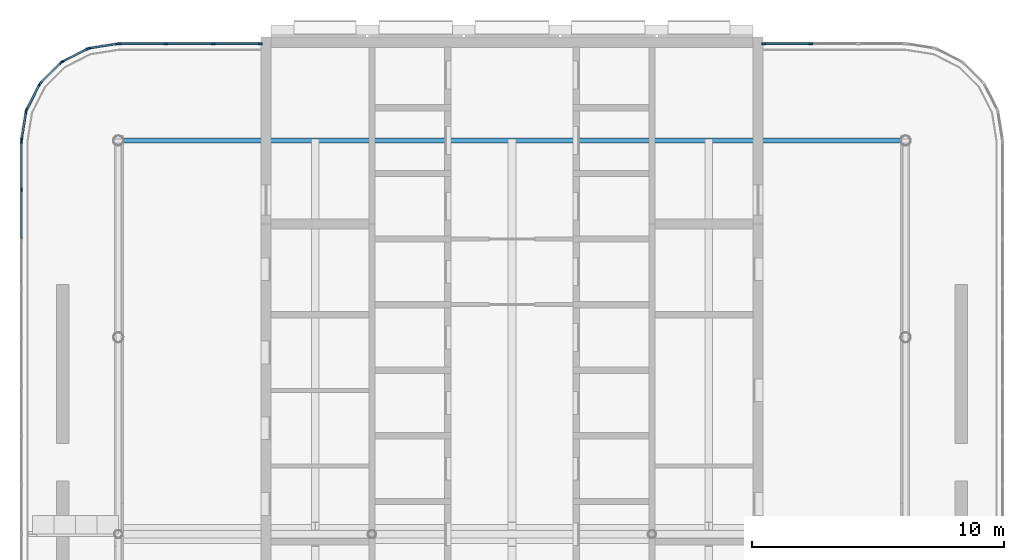
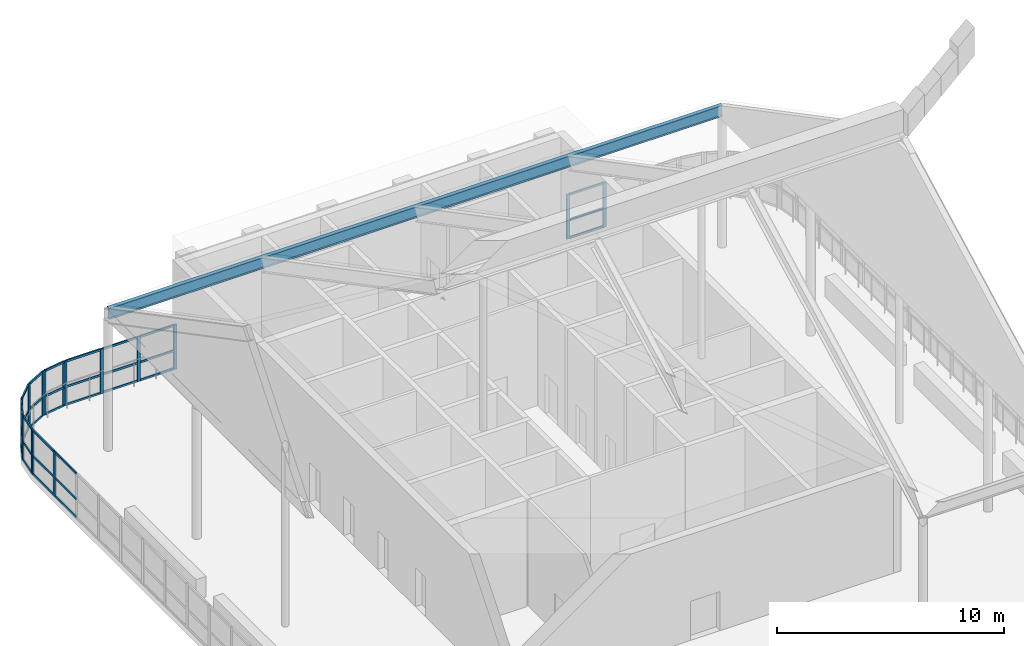
# One storey, part 11 of 19: 51 members, 1 beam, 8 elements without a shape of their own.
"""IFC4 building model written with IfcOpenShell, lengths in metres."""

from ifc_helpers import new_model, si_unit, direction, frame, origin, origin_2d, place, context, subcontext, project, spatial, rectangle, i_section, extrude, material, material_profile, profile_set, type_object, element, aggregate, save


model = new_model("IFC4")

# Units and contexts
model_context = context("Model", 3, precision=1e-05, world=origin(), true_north=direction((0.0, 1.0)))
body_context = subcontext(model_context, "Body", "Model", "MODEL_VIEW")
ifc_project = project(units=[si_unit("LENGTHUNIT", "METRE"), si_unit("AREAUNIT", "SQUARE_METRE"), si_unit("VOLUMEUNIT", "CUBIC_METRE"), si_unit("PLANEANGLEUNIT", "RADIAN"), si_unit("MASSUNIT", "GRAM", prefix="KILO")], contexts=[model_context])

# Site, building, storey
site_placement = place(None, origin())
site = spatial("IfcSite", under=ifc_project, at=site_placement, CompositionType="ELEMENT")
building_placement = place(site_placement, origin())
building = spatial("IfcBuilding", under=site, at=building_placement, Name="Ludao Terraces", CompositionType="ELEMENT")
storey_placement = place(building_placement, frame((0.0, 0.0, 266.39990234375)))
storey = spatial("IfcBuildingStorey", under=building, at=storey_placement, Name="L73", CompositionType="ELEMENT", Elevation=266.39990234375)

# Beam
ifc_material_1 = material(Name="Steel Q355", Category="steel")
ifc_material_profile_1 = material_profile(ifc_material_1, i_section(OverallWidth=0.199951171875, OverallDepth=0.60009765625, WebThickness=0.010986328125, FlangeThickness=0.01708984375, at=origin_2d()), Name="HN 600X200X11X17")
ifc_profile_set_1 = profile_set([ifc_material_profile_1], Name="Steel Q355")
beam_type = type_object("IfcBeamType", Name="Canopy eave beam HN 600x200x11x17 Q355", PredefinedType="BEAM", material=ifc_profile_set_1)
beam_placement = place(storey_placement, frame((69.39990234375, 80.60009765625, 7.29541015625), z_axis=(1.0, 0.0, 0.0), x_axis=(0.0, 1.0, 0.0)))
element("IfcBeam", 1, at=beam_placement, inside=storey, type_object=beam_type, Name="Canopy eave beam north", PredefinedType="BEAM", context=body_context, shape_type="SweptSolid", body=[
    extrude(i_section(OverallWidth=0.199951171875, OverallDepth=0.60009765625, WebThickness=0.010986328125, FlangeThickness=0.01708984375, at=origin_2d()), origin(), (0.0, 0.0, 1.0), 31.2001953125),
])

# Curtain wall, members
ifc_material_2 = material(Name="Aluminium curtain wall with fritted glass", Category="aluminium")
curtain_wall_type = type_object("IfcCurtainWallType", Name="ENV CW6 crown screen glazing", PredefinedType="NOTDEFINED", material=ifc_material_2)
curtain_wall_1_placement = place(storey_placement, origin())
curtain_wall_1 = element("IfcCurtainWall", 2, at=curtain_wall_1_placement, inside=storey, type_object=curtain_wall_type, Name="Deck windscreen N1", PredefinedType="NOTDEFINED")
ifc_material_3 = material(Name="Aluminium 6063-T6", Category="aluminium")
ifc_material_profile_2 = material_profile(ifc_material_3, rectangle(XDim=0.070068359375, YDim=0.159912109375, at=origin_2d()), Name="70 X 160")
ifc_profile_set_2 = profile_set([ifc_material_profile_2], Name="Aluminium 6063-T6")
member_type_1 = type_object("IfcMemberType", Name="ENV CW6 mullion 70x160", PredefinedType="MULLION", material=ifc_profile_set_2)
member_1_placement = place(storey_placement, frame((69.43505859375, 84.43994140625, 0.0), z_axis=(0.0, 0.0, 1.0), x_axis=(0.0, 1.0, 0.0)))
member_1 = element("IfcMember", 3, at=member_1_placement, type_object=member_type_1, Name="CW6 mullion 1", PredefinedType="MULLION", context=body_context, shape_type="SweptSolid", body=[
    extrude(rectangle(XDim=0.070068359375, YDim=0.159912109375, at=origin_2d()), origin(), (0.0, 0.0, 1.0), 2.400146484375),
])
member_2_placement = place(storey_placement, frame((71.283447265625, 84.43994140625, 0.0), z_axis=(0.0, 0.0, 1.0), x_axis=(0.0, 1.0, 0.0)))
member_2 = element("IfcMember", 4, at=member_2_placement, type_object=member_type_1, Name="CW6 mullion 2", PredefinedType="MULLION", context=body_context, shape_type="SweptSolid", body=[
    extrude(rectangle(XDim=0.070068359375, YDim=0.159912109375, at=origin_2d()), origin(), (0.0, 0.0, 1.0), 2.400146484375),
])
member_3_placement = place(storey_placement, frame((73.166748046875, 84.43994140625, 0.0), z_axis=(0.0, 0.0, 1.0), x_axis=(0.0, 1.0, 0.0)))
member_3 = element("IfcMember", 5, at=member_3_placement, type_object=member_type_1, Name="CW6 mullion 3", PredefinedType="MULLION", context=body_context, shape_type="SweptSolid", body=[
    extrude(rectangle(XDim=0.070068359375, YDim=0.159912109375, at=origin_2d()), origin(), (0.0, 0.0, 1.0), 2.400146484375),
])
member_4_placement = place(storey_placement, frame((75.014892578125, 84.43994140625, 0.0), z_axis=(0.0, 0.0, 1.0), x_axis=(0.0, 1.0, 0.0)))
member_4 = element("IfcMember", 6, at=member_4_placement, type_object=member_type_1, Name="CW6 mullion 4", PredefinedType="MULLION", context=body_context, shape_type="SweptSolid", body=[
    extrude(rectangle(XDim=0.070068359375, YDim=0.159912109375, at=origin_2d()), origin(), (0.0, 0.0, 1.0), 2.400146484375),
])

curtain_wall_2_placement = place(storey_placement, origin())
curtain_wall_2 = element("IfcCurtainWall", 7, at=curtain_wall_2_placement, inside=storey, type_object=curtain_wall_type, Name="Deck windscreen N2", PredefinedType="NOTDEFINED")
member_5_placement = place(storey_placement, frame((94.985107421875, 84.43994140625, 0.0), z_axis=(0.0, 0.0, 1.0), x_axis=(0.0, 1.0, 0.0)))
member_5 = element("IfcMember", 8, at=member_5_placement, type_object=member_type_1, Name="CW6 mullion 1", PredefinedType="MULLION", context=body_context, shape_type="SweptSolid", body=[
    extrude(rectangle(XDim=0.070068359375, YDim=0.159912109375, at=origin_2d()), origin(), (0.0, 0.0, 1.0), 2.400146484375),
])
member_6_placement = place(storey_placement, frame((96.833251953125, 84.43994140625, 0.0), z_axis=(0.0, 0.0, 1.0), x_axis=(0.0, 1.0, 0.0)))
member_6 = element("IfcMember", 9, at=member_6_placement, type_object=member_type_1, Name="CW6 mullion 2", PredefinedType="MULLION", context=body_context, shape_type="SweptSolid", body=[
    extrude(rectangle(XDim=0.070068359375, YDim=0.159912109375, at=origin_2d()), origin(), (0.0, 0.0, 1.0), 2.400146484375),
])

curtain_wall_3_placement = place(storey_placement, origin())
curtain_wall_3 = element("IfcCurtainWall", 10, at=curtain_wall_3_placement, inside=storey, type_object=curtain_wall_type, Name="Deck windscreen W1", PredefinedType="NOTDEFINED")
member_7_placement = place(storey_placement, frame((65.56005859375, 78.64990234375, 0.0), z_axis=(0.0, 0.0, 1.0), x_axis=(-1.0, 0.0, 0.0)))
member_7 = element("IfcMember", 11, at=member_7_placement, type_object=member_type_1, Name="CW6 mullion 16", PredefinedType="MULLION", context=body_context, shape_type="SweptSolid", body=[
    extrude(rectangle(XDim=0.070068359375, YDim=0.159912109375, at=origin_2d()), origin(), (0.0, 0.0, 1.0), 2.400146484375),
])
member_8_placement = place(storey_placement, frame((65.56005859375, 80.56494140625, 0.0), z_axis=(0.0, 0.0, 1.0), x_axis=(-1.0, 0.0, 0.0)))
member_8 = element("IfcMember", 12, at=member_8_placement, type_object=member_type_1, Name="CW6 mullion 17", PredefinedType="MULLION", context=body_context, shape_type="SweptSolid", body=[
    extrude(rectangle(XDim=0.070068359375, YDim=0.159912109375, at=origin_2d()), origin(), (0.0, 0.0, 1.0), 2.400146484375),
])

curtain_wall_4_placement = place(storey_placement, origin())
curtain_wall_4 = element("IfcCurtainWall", 13, at=curtain_wall_4_placement, inside=storey, type_object=curtain_wall_type, Name="Deck windscreen NW1", PredefinedType="NOTDEFINED")
member_9_placement = place(storey_placement, frame((69.365478515625, 84.4345703125, 0.0), z_axis=(0.0, 0.0, 1.0), x_axis=(0.1564345166, -0.987688332429, 0.0)))
member_9 = element("IfcMember", 14, at=member_9_placement, type_object=member_type_1, Name="CW6 mullion 1", PredefinedType="MULLION", context=body_context, shape_type="SweptSolid", body=[
    extrude(rectangle(XDim=0.070068359375, YDim=0.159912109375, at=origin_2d()), origin(), (0.0, 0.0, 1.0), 2.400146484375),
])
member_10_placement = place(storey_placement, frame((68.248046875, 84.257568359375, 0.0), z_axis=(0.0, 0.0, 1.0), x_axis=(0.1564345166, -0.987688332429, 0.0)))
member_10 = element("IfcMember", 15, at=member_10_placement, type_object=member_type_1, Name="CW6 mullion 2", PredefinedType="MULLION", context=body_context, shape_type="SweptSolid", body=[
    extrude(rectangle(XDim=0.070068359375, YDim=0.159912109375, at=origin_2d()), origin(), (0.0, 0.0, 1.0), 2.400146484375),
])

curtain_wall_5_placement = place(storey_placement, origin())
curtain_wall_5 = element("IfcCurtainWall", 16, at=curtain_wall_5_placement, inside=storey, type_object=curtain_wall_type, Name="Deck windscreen NW2", PredefinedType="NOTDEFINED")
member_11_placement = place(storey_placement, frame((68.18212890625, 84.236083984375, 0.0), z_axis=(0.0, 0.0, 1.0), x_axis=(0.453990692743, -0.891006425848, 0.0)))
member_11 = element("IfcMember", 17, at=member_11_placement, type_object=member_type_1, Name="CW6 mullion 1", PredefinedType="MULLION", context=body_context, shape_type="SweptSolid", body=[
    extrude(rectangle(XDim=0.070068359375, YDim=0.159912109375, at=origin_2d()), origin(), (0.0, 0.0, 1.0), 2.400146484375),
])
member_12_placement = place(storey_placement, frame((67.174072265625, 83.722412109375, 0.0), z_axis=(0.0, 0.0, 1.0), x_axis=(0.453990692743, -0.891006425848, 0.0)))
member_12 = element("IfcMember", 18, at=member_12_placement, type_object=member_type_1, Name="CW6 mullion 2", PredefinedType="MULLION", context=body_context, shape_type="SweptSolid", body=[
    extrude(rectangle(XDim=0.070068359375, YDim=0.159912109375, at=origin_2d()), origin(), (0.0, 0.0, 1.0), 2.400146484375),
])

curtain_wall_6_placement = place(storey_placement, origin())
curtain_wall_6 = element("IfcCurtainWall", 19, at=curtain_wall_6_placement, inside=storey, type_object=curtain_wall_type, Name="Deck windscreen NW3", PredefinedType="NOTDEFINED")
member_13_placement = place(storey_placement, frame((67.1181640625, 83.681884765625, 0.0), z_axis=(0.0, 0.0, 1.0), x_axis=(0.707106781187, -0.707106781187, 0.0)))
member_13 = element("IfcMember", 20, at=member_13_placement, type_object=member_type_1, Name="CW6 mullion 1", PredefinedType="MULLION", context=body_context, shape_type="SweptSolid", body=[
    extrude(rectangle(XDim=0.070068359375, YDim=0.159912109375, at=origin_2d()), origin(), (0.0, 0.0, 1.0), 2.400146484375),
])
member_14_placement = place(storey_placement, frame((66.318115234375, 82.8818359375, 0.0), z_axis=(0.0, 0.0, 1.0), x_axis=(0.707106781187, -0.707106781187, 0.0)))
member_14 = element("IfcMember", 21, at=member_14_placement, type_object=member_type_1, Name="CW6 mullion 2", PredefinedType="MULLION", context=body_context, shape_type="SweptSolid", body=[
    extrude(rectangle(XDim=0.070068359375, YDim=0.159912109375, at=origin_2d()), origin(), (0.0, 0.0, 1.0), 2.400146484375),
])

curtain_wall_7_placement = place(storey_placement, origin())
curtain_wall_7 = element("IfcCurtainWall", 22, at=curtain_wall_7_placement, inside=storey, type_object=curtain_wall_type, Name="Deck windscreen NW4", PredefinedType="NOTDEFINED")
member_15_placement = place(storey_placement, frame((66.277587890625, 82.825927734375, 0.0), z_axis=(0.0, 0.0, 1.0), x_axis=(0.891006425848, -0.453990692743, 0.0)))
member_15 = element("IfcMember", 23, at=member_15_placement, type_object=member_type_1, Name="CW6 mullion 1", PredefinedType="MULLION", context=body_context, shape_type="SweptSolid", body=[
    extrude(rectangle(XDim=0.070068359375, YDim=0.159912109375, at=origin_2d()), origin(), (0.0, 0.0, 1.0), 2.400146484375),
])
member_16_placement = place(storey_placement, frame((65.763916015625, 81.81787109375, 0.0), z_axis=(0.0, 0.0, 1.0), x_axis=(0.891006425848, -0.453990692743, 0.0)))
member_16 = element("IfcMember", 24, at=member_16_placement, type_object=member_type_1, Name="CW6 mullion 2", PredefinedType="MULLION", context=body_context, shape_type="SweptSolid", body=[
    extrude(rectangle(XDim=0.070068359375, YDim=0.159912109375, at=origin_2d()), origin(), (0.0, 0.0, 1.0), 2.400146484375),
])

curtain_wall_8_placement = place(storey_placement, origin())
curtain_wall_8 = element("IfcCurtainWall", 25, at=curtain_wall_8_placement, inside=storey, type_object=curtain_wall_type, Name="Deck windscreen NW5", PredefinedType="NOTDEFINED")
member_17_placement = place(storey_placement, frame((65.742431640625, 81.751953125, 0.0), z_axis=(0.0, 0.0, 1.0), x_axis=(0.987688332429, -0.1564345166, 0.0)))
member_17 = element("IfcMember", 26, at=member_17_placement, type_object=member_type_1, Name="CW6 mullion 1", PredefinedType="MULLION", context=body_context, shape_type="SweptSolid", body=[
    extrude(rectangle(XDim=0.070068359375, YDim=0.159912109375, at=origin_2d()), origin(), (0.0, 0.0, 1.0), 2.400146484375),
])
member_18_placement = place(storey_placement, frame((65.5654296875, 80.634521484375, 0.0), z_axis=(0.0, 0.0, 1.0), x_axis=(0.987688332429, -0.1564345166, 0.0)))
member_18 = element("IfcMember", 27, at=member_18_placement, type_object=member_type_1, Name="CW6 mullion 2", PredefinedType="MULLION", context=body_context, shape_type="SweptSolid", body=[
    extrude(rectangle(XDim=0.070068359375, YDim=0.159912109375, at=origin_2d()), origin(), (0.0, 0.0, 1.0), 2.400146484375),
])

# Member
ifc_material_profile_3 = material_profile(ifc_material_3, rectangle(XDim=0.070068359375, YDim=0.110107421875, at=origin_2d()), Name="70 X 110")
ifc_profile_set_3 = profile_set([ifc_material_profile_3], Name="Aluminium 6063-T6")
member_type_2 = type_object("IfcMemberType", Name="ENV CW6 transom 70x110", PredefinedType="USERDEFINED", material=ifc_profile_set_3)
member_19_placement = place(storey_placement, frame((69.469970703125, 84.43994140625, 0.03515625), z_axis=(1.0, 0.0, 0.0), x_axis=(0.0, 1.0, 0.0)))
member_19 = element("IfcMember", 28, at=member_19_placement, type_object=member_type_2, Name="CW6 transom 1.1", ObjectType="TRANSOM", PredefinedType="USERDEFINED", context=body_context, shape_type="SweptSolid", body=[
    extrude(rectangle(XDim=0.070068359375, YDim=0.110107421875, at=origin_2d()), origin(), (0.0, 0.0, 1.0), 1.7783203125),
])

member_20_placement = place(storey_placement, frame((69.469970703125, 84.43994140625, 1.0), z_axis=(1.0, 0.0, 0.0), x_axis=(0.0, 1.0, 0.0)))
member_20 = element("IfcMember", 29, at=member_20_placement, type_object=member_type_2, Name="CW6 transom 1.2", ObjectType="TRANSOM", PredefinedType="USERDEFINED", context=body_context, shape_type="SweptSolid", body=[
    extrude(rectangle(XDim=0.070068359375, YDim=0.110107421875, at=origin_2d()), origin(), (0.0, 0.0, 1.0), 1.7783203125),
])

member_21_placement = place(storey_placement, frame((69.469970703125, 84.43994140625, 2.364990234375), z_axis=(1.0, 0.0, 0.0), x_axis=(0.0, 1.0, 0.0)))
member_21 = element("IfcMember", 30, at=member_21_placement, type_object=member_type_2, Name="CW6 transom 1.3", ObjectType="TRANSOM", PredefinedType="USERDEFINED", context=body_context, shape_type="SweptSolid", body=[
    extrude(rectangle(XDim=0.070068359375, YDim=0.110107421875, at=origin_2d()), origin(), (0.0, 0.0, 1.0), 1.7783203125),
])

member_22_placement = place(storey_placement, frame((71.318359375, 84.43994140625, 0.03515625), z_axis=(1.0, 0.0, 0.0), x_axis=(0.0, 1.0, 0.0)))
member_22 = element("IfcMember", 31, at=member_22_placement, type_object=member_type_2, Name="CW6 transom 2.1", ObjectType="TRANSOM", PredefinedType="USERDEFINED", context=body_context, shape_type="SweptSolid", body=[
    extrude(rectangle(XDim=0.070068359375, YDim=0.110107421875, at=origin_2d()), origin(), (0.0, 0.0, 1.0), 1.813232421875),
])

member_23_placement = place(storey_placement, frame((71.318359375, 84.43994140625, 1.0), z_axis=(1.0, 0.0, 0.0), x_axis=(0.0, 1.0, 0.0)))
member_23 = element("IfcMember", 32, at=member_23_placement, type_object=member_type_2, Name="CW6 transom 2.2", ObjectType="TRANSOM", PredefinedType="USERDEFINED", context=body_context, shape_type="SweptSolid", body=[
    extrude(rectangle(XDim=0.070068359375, YDim=0.110107421875, at=origin_2d()), origin(), (0.0, 0.0, 1.0), 1.813232421875),
])

member_24_placement = place(storey_placement, frame((71.318359375, 84.43994140625, 2.364990234375), z_axis=(1.0, 0.0, 0.0), x_axis=(0.0, 1.0, 0.0)))
member_24 = element("IfcMember", 33, at=member_24_placement, type_object=member_type_2, Name="CW6 transom 2.3", ObjectType="TRANSOM", PredefinedType="USERDEFINED", context=body_context, shape_type="SweptSolid", body=[
    extrude(rectangle(XDim=0.070068359375, YDim=0.110107421875, at=origin_2d()), origin(), (0.0, 0.0, 1.0), 1.813232421875),
])

member_25_placement = place(storey_placement, frame((73.20166015625, 84.43994140625, 0.03515625), z_axis=(1.0, 0.0, 0.0), x_axis=(0.0, 1.0, 0.0)))
member_25 = element("IfcMember", 34, at=member_25_placement, type_object=member_type_2, Name="CW6 transom 3.1", ObjectType="TRANSOM", PredefinedType="USERDEFINED", context=body_context, shape_type="SweptSolid", body=[
    extrude(rectangle(XDim=0.070068359375, YDim=0.110107421875, at=origin_2d()), origin(), (0.0, 0.0, 1.0), 1.7783203125),
])

member_26_placement = place(storey_placement, frame((73.20166015625, 84.43994140625, 1.0), z_axis=(1.0, 0.0, 0.0), x_axis=(0.0, 1.0, 0.0)))
member_26 = element("IfcMember", 35, at=member_26_placement, type_object=member_type_2, Name="CW6 transom 3.2", ObjectType="TRANSOM", PredefinedType="USERDEFINED", context=body_context, shape_type="SweptSolid", body=[
    extrude(rectangle(XDim=0.070068359375, YDim=0.110107421875, at=origin_2d()), origin(), (0.0, 0.0, 1.0), 1.7783203125),
])

member_27_placement = place(storey_placement, frame((73.20166015625, 84.43994140625, 2.364990234375), z_axis=(1.0, 0.0, 0.0), x_axis=(0.0, 1.0, 0.0)))
member_27 = element("IfcMember", 36, at=member_27_placement, type_object=member_type_2, Name="CW6 transom 3.3", ObjectType="TRANSOM", PredefinedType="USERDEFINED", context=body_context, shape_type="SweptSolid", body=[
    extrude(rectangle(XDim=0.070068359375, YDim=0.110107421875, at=origin_2d()), origin(), (0.0, 0.0, 1.0), 1.7783203125),
])

aggregate(curtain_wall_1, [member_1, member_2, member_3, member_4, member_19, member_20, member_21, member_22, member_23, member_24, member_25, member_26, member_27])

member_28_placement = place(storey_placement, frame((95.02001953125, 84.43994140625, 0.03515625), z_axis=(1.0, 0.0, 0.0), x_axis=(0.0, 1.0, 0.0)))
member_28 = element("IfcMember", 37, at=member_28_placement, type_object=member_type_2, Name="CW6 transom 1.1", ObjectType="TRANSOM", PredefinedType="USERDEFINED", context=body_context, shape_type="SweptSolid", body=[
    extrude(rectangle(XDim=0.070068359375, YDim=0.110107421875, at=origin_2d()), origin(), (0.0, 0.0, 1.0), 1.7783203125),
])

member_29_placement = place(storey_placement, frame((95.02001953125, 84.43994140625, 1.0), z_axis=(1.0, 0.0, 0.0), x_axis=(0.0, 1.0, 0.0)))
member_29 = element("IfcMember", 38, at=member_29_placement, type_object=member_type_2, Name="CW6 transom 1.2", ObjectType="TRANSOM", PredefinedType="USERDEFINED", context=body_context, shape_type="SweptSolid", body=[
    extrude(rectangle(XDim=0.070068359375, YDim=0.110107421875, at=origin_2d()), origin(), (0.0, 0.0, 1.0), 1.7783203125),
])

member_30_placement = place(storey_placement, frame((95.02001953125, 84.43994140625, 2.364990234375), z_axis=(1.0, 0.0, 0.0), x_axis=(0.0, 1.0, 0.0)))
member_30 = element("IfcMember", 39, at=member_30_placement, type_object=member_type_2, Name="CW6 transom 1.3", ObjectType="TRANSOM", PredefinedType="USERDEFINED", context=body_context, shape_type="SweptSolid", body=[
    extrude(rectangle(XDim=0.070068359375, YDim=0.110107421875, at=origin_2d()), origin(), (0.0, 0.0, 1.0), 1.7783203125),
])

aggregate(curtain_wall_2, [member_5, member_6, member_28, member_29, member_30])

member_31_placement = place(storey_placement, frame((65.56005859375, 76.735107421875, 0.03515625), z_axis=(0.0, 1.0, 0.0), x_axis=(-1.0, 0.0, 0.0)))
member_31 = element("IfcMember", 40, at=member_31_placement, type_object=member_type_2, Name="CW6 transom 15.1", ObjectType="TRANSOM", PredefinedType="USERDEFINED", context=body_context, shape_type="SweptSolid", body=[
    extrude(rectangle(XDim=0.070068359375, YDim=0.110107421875, at=origin_2d()), origin(), (0.0, 0.0, 1.0), 1.8798828125),
])

member_32_placement = place(storey_placement, frame((65.56005859375, 76.735107421875, 1.0), z_axis=(0.0, 1.0, 0.0), x_axis=(-1.0, 0.0, 0.0)))
member_32 = element("IfcMember", 41, at=member_32_placement, type_object=member_type_2, Name="CW6 transom 15.2", ObjectType="TRANSOM", PredefinedType="USERDEFINED", context=body_context, shape_type="SweptSolid", body=[
    extrude(rectangle(XDim=0.070068359375, YDim=0.110107421875, at=origin_2d()), origin(), (0.0, 0.0, 1.0), 1.8798828125),
])

member_33_placement = place(storey_placement, frame((65.56005859375, 76.735107421875, 2.364990234375), z_axis=(0.0, 1.0, 0.0), x_axis=(-1.0, 0.0, 0.0)))
member_33 = element("IfcMember", 42, at=member_33_placement, type_object=member_type_2, Name="CW6 transom 15.3", ObjectType="TRANSOM", PredefinedType="USERDEFINED", context=body_context, shape_type="SweptSolid", body=[
    extrude(rectangle(XDim=0.070068359375, YDim=0.110107421875, at=origin_2d()), origin(), (0.0, 0.0, 1.0), 1.8798828125),
])

member_34_placement = place(storey_placement, frame((65.56005859375, 78.68505859375, 0.03515625), z_axis=(0.0, 1.0, 0.0), x_axis=(-1.0, 0.0, 0.0)))
member_34 = element("IfcMember", 43, at=member_34_placement, type_object=member_type_2, Name="CW6 transom 16.1", ObjectType="TRANSOM", PredefinedType="USERDEFINED", context=body_context, shape_type="SweptSolid", body=[
    extrude(rectangle(XDim=0.070068359375, YDim=0.110107421875, at=origin_2d()), origin(), (0.0, 0.0, 1.0), 1.844970703125),
])

member_35_placement = place(storey_placement, frame((65.56005859375, 78.68505859375, 1.0), z_axis=(0.0, 1.0, 0.0), x_axis=(-1.0, 0.0, 0.0)))
member_35 = element("IfcMember", 44, at=member_35_placement, type_object=member_type_2, Name="CW6 transom 16.2", ObjectType="TRANSOM", PredefinedType="USERDEFINED", context=body_context, shape_type="SweptSolid", body=[
    extrude(rectangle(XDim=0.070068359375, YDim=0.110107421875, at=origin_2d()), origin(), (0.0, 0.0, 1.0), 1.844970703125),
])

member_36_placement = place(storey_placement, frame((65.56005859375, 78.68505859375, 2.364990234375), z_axis=(0.0, 1.0, 0.0), x_axis=(-1.0, 0.0, 0.0)))
member_36 = element("IfcMember", 45, at=member_36_placement, type_object=member_type_2, Name="CW6 transom 16.3", ObjectType="TRANSOM", PredefinedType="USERDEFINED", context=body_context, shape_type="SweptSolid", body=[
    extrude(rectangle(XDim=0.070068359375, YDim=0.110107421875, at=origin_2d()), origin(), (0.0, 0.0, 1.0), 1.844970703125),
])

aggregate(curtain_wall_3, [member_7, member_8, member_31, member_32, member_33, member_34, member_35, member_36])

member_37_placement = place(storey_placement, frame((69.330810546875, 84.428955078125, 0.03515625), z_axis=(-0.98769199332, -0.156411400898, 0.0), x_axis=(0.156411400898, -0.98769199332, 0.0)))
member_37 = element("IfcMember", 46, at=member_37_placement, type_object=member_type_2, Name="CW6 transom 1.1", ObjectType="TRANSOM", PredefinedType="USERDEFINED", context=body_context, shape_type="SweptSolid", body=[
    extrude(rectangle(XDim=0.070068359375, YDim=0.110107421875, at=origin_2d()), origin(), (0.0, 0.0, 1.0), 1.0615234375),
])

member_38_placement = place(storey_placement, frame((69.330810546875, 84.428955078125, 1.0), z_axis=(-0.98769199332, -0.156411400898, 0.0), x_axis=(0.156411400898, -0.98769199332, 0.0)))
member_38 = element("IfcMember", 47, at=member_38_placement, type_object=member_type_2, Name="CW6 transom 1.2", ObjectType="TRANSOM", PredefinedType="USERDEFINED", context=body_context, shape_type="SweptSolid", body=[
    extrude(rectangle(XDim=0.070068359375, YDim=0.110107421875, at=origin_2d()), origin(), (0.0, 0.0, 1.0), 1.0615234375),
])

member_39_placement = place(storey_placement, frame((69.330810546875, 84.428955078125, 2.364990234375), z_axis=(-0.98769199332, -0.156411400898, 0.0), x_axis=(0.156411400898, -0.98769199332, 0.0)))
member_39 = element("IfcMember", 48, at=member_39_placement, type_object=member_type_2, Name="CW6 transom 1.3", ObjectType="TRANSOM", PredefinedType="USERDEFINED", context=body_context, shape_type="SweptSolid", body=[
    extrude(rectangle(XDim=0.070068359375, YDim=0.110107421875, at=origin_2d()), origin(), (0.0, 0.0, 1.0), 1.0615234375),
])

aggregate(curtain_wall_4, [member_9, member_10, member_37, member_38, member_39])

member_40_placement = place(storey_placement, frame((68.151123046875, 84.22021484375, 0.03515625), z_axis=(-0.891090396917, -0.453825852637, 0.0), x_axis=(0.453825852637, -0.891090396917, 0.0)))
member_40 = element("IfcMember", 49, at=member_40_placement, type_object=member_type_2, Name="CW6 transom 1.1", ObjectType="TRANSOM", PredefinedType="USERDEFINED", context=body_context, shape_type="SweptSolid", body=[
    extrude(rectangle(XDim=0.070068359375, YDim=0.110107421875, at=origin_2d()), origin(), (0.0, 0.0, 1.0), 1.061279296875),
])

member_41_placement = place(storey_placement, frame((68.151123046875, 84.22021484375, 1.0), z_axis=(-0.891090396917, -0.453825852637, 0.0), x_axis=(0.453825852637, -0.891090396917, 0.0)))
member_41 = element("IfcMember", 50, at=member_41_placement, type_object=member_type_2, Name="CW6 transom 1.2", ObjectType="TRANSOM", PredefinedType="USERDEFINED", context=body_context, shape_type="SweptSolid", body=[
    extrude(rectangle(XDim=0.070068359375, YDim=0.110107421875, at=origin_2d()), origin(), (0.0, 0.0, 1.0), 1.061279296875),
])

member_42_placement = place(storey_placement, frame((68.151123046875, 84.22021484375, 2.364990234375), z_axis=(-0.891090396917, -0.453825852637, 0.0), x_axis=(0.453825852637, -0.891090396917, 0.0)))
member_42 = element("IfcMember", 51, at=member_42_placement, type_object=member_type_2, Name="CW6 transom 1.3", ObjectType="TRANSOM", PredefinedType="USERDEFINED", context=body_context, shape_type="SweptSolid", body=[
    extrude(rectangle(XDim=0.070068359375, YDim=0.110107421875, at=origin_2d()), origin(), (0.0, 0.0, 1.0), 1.061279296875),
])

aggregate(curtain_wall_5, [member_11, member_12, member_40, member_41, member_42])

member_43_placement = place(storey_placement, frame((67.093505859375, 83.6572265625, 0.03515625), z_axis=(-0.707106781187, -0.707106781187, 0.0), x_axis=(0.707106781187, -0.707106781187, 0.0)))
member_43 = element("IfcMember", 52, at=member_43_placement, type_object=member_type_2, Name="CW6 transom 1.1", ObjectType="TRANSOM", PredefinedType="USERDEFINED", context=body_context, shape_type="SweptSolid", body=[
    extrude(rectangle(XDim=0.070068359375, YDim=0.110107421875, at=origin_2d()), origin(), (0.0, 0.0, 1.0), 1.061767578125),
])

member_44_placement = place(storey_placement, frame((67.093505859375, 83.6572265625, 1.0), z_axis=(-0.707106781187, -0.707106781187, 0.0), x_axis=(0.707106781187, -0.707106781187, 0.0)))
member_44 = element("IfcMember", 53, at=member_44_placement, type_object=member_type_2, Name="CW6 transom 1.2", ObjectType="TRANSOM", PredefinedType="USERDEFINED", context=body_context, shape_type="SweptSolid", body=[
    extrude(rectangle(XDim=0.070068359375, YDim=0.110107421875, at=origin_2d()), origin(), (0.0, 0.0, 1.0), 1.061767578125),
])

member_45_placement = place(storey_placement, frame((67.093505859375, 83.6572265625, 2.364990234375), z_axis=(-0.707106781187, -0.707106781187, 0.0), x_axis=(0.707106781187, -0.707106781187, 0.0)))
member_45 = element("IfcMember", 54, at=member_45_placement, type_object=member_type_2, Name="CW6 transom 1.3", ObjectType="TRANSOM", PredefinedType="USERDEFINED", context=body_context, shape_type="SweptSolid", body=[
    extrude(rectangle(XDim=0.070068359375, YDim=0.110107421875, at=origin_2d()), origin(), (0.0, 0.0, 1.0), 1.061767578125),
])

aggregate(curtain_wall_6, [member_13, member_14, member_43, member_44, member_45])

member_46_placement = place(storey_placement, frame((66.261474609375, 82.794677734375, 0.03515625), z_axis=(-0.453825852637, -0.891090396917, 0.0), x_axis=(0.891090396917, -0.453825852637, 0.0)))
member_46 = element("IfcMember", 55, at=member_46_placement, type_object=member_type_2, Name="CW6 transom 1.1", ObjectType="TRANSOM", PredefinedType="USERDEFINED", context=body_context, shape_type="SweptSolid", body=[
    extrude(rectangle(XDim=0.070068359375, YDim=0.110107421875, at=origin_2d()), origin(), (0.0, 0.0, 1.0), 1.061279296875),
])

member_47_placement = place(storey_placement, frame((66.261474609375, 82.794677734375, 1.0), z_axis=(-0.453825852637, -0.891090396917, 0.0), x_axis=(0.891090396917, -0.453825852637, 0.0)))
member_47 = element("IfcMember", 56, at=member_47_placement, type_object=member_type_2, Name="CW6 transom 1.2", ObjectType="TRANSOM", PredefinedType="USERDEFINED", context=body_context, shape_type="SweptSolid", body=[
    extrude(rectangle(XDim=0.070068359375, YDim=0.110107421875, at=origin_2d()), origin(), (0.0, 0.0, 1.0), 1.061279296875),
])

member_48_placement = place(storey_placement, frame((66.261474609375, 82.794677734375, 2.364990234375), z_axis=(-0.453825852637, -0.891090396917, 0.0), x_axis=(0.891090396917, -0.453825852637, 0.0)))
member_48 = element("IfcMember", 57, at=member_48_placement, type_object=member_type_2, Name="CW6 transom 1.3", ObjectType="TRANSOM", PredefinedType="USERDEFINED", context=body_context, shape_type="SweptSolid", body=[
    extrude(rectangle(XDim=0.070068359375, YDim=0.110107421875, at=origin_2d()), origin(), (0.0, 0.0, 1.0), 1.061279296875),
])

aggregate(curtain_wall_7, [member_15, member_16, member_46, member_47, member_48])

member_49_placement = place(storey_placement, frame((65.737060546875, 81.717529296875, 0.03515625), z_axis=(-0.156411400898, -0.98769199332, 0.0), x_axis=(0.98769199332, -0.156411400898, 0.0)))
member_49 = element("IfcMember", 58, at=member_49_placement, type_object=member_type_2, Name="CW6 transom 1.1", ObjectType="TRANSOM", PredefinedType="USERDEFINED", context=body_context, shape_type="SweptSolid", body=[
    extrude(rectangle(XDim=0.070068359375, YDim=0.110107421875, at=origin_2d()), origin(), (0.0, 0.0, 1.0), 1.0615234375),
])

member_50_placement = place(storey_placement, frame((65.737060546875, 81.717529296875, 1.0), z_axis=(-0.156411400898, -0.98769199332, 0.0), x_axis=(0.98769199332, -0.156411400898, 0.0)))
member_50 = element("IfcMember", 59, at=member_50_placement, type_object=member_type_2, Name="CW6 transom 1.2", ObjectType="TRANSOM", PredefinedType="USERDEFINED", context=body_context, shape_type="SweptSolid", body=[
    extrude(rectangle(XDim=0.070068359375, YDim=0.110107421875, at=origin_2d()), origin(), (0.0, 0.0, 1.0), 1.0615234375),
])

member_51_placement = place(storey_placement, frame((65.737060546875, 81.717529296875, 2.364990234375), z_axis=(-0.156411400898, -0.98769199332, 0.0), x_axis=(0.98769199332, -0.156411400898, 0.0)))
member_51 = element("IfcMember", 60, at=member_51_placement, type_object=member_type_2, Name="CW6 transom 1.3", ObjectType="TRANSOM", PredefinedType="USERDEFINED", context=body_context, shape_type="SweptSolid", body=[
    extrude(rectangle(XDim=0.070068359375, YDim=0.110107421875, at=origin_2d()), origin(), (0.0, 0.0, 1.0), 1.0615234375),
])

aggregate(curtain_wall_8, [member_17, member_18, member_49, member_50, member_51])

save(model, "model.ifc")
